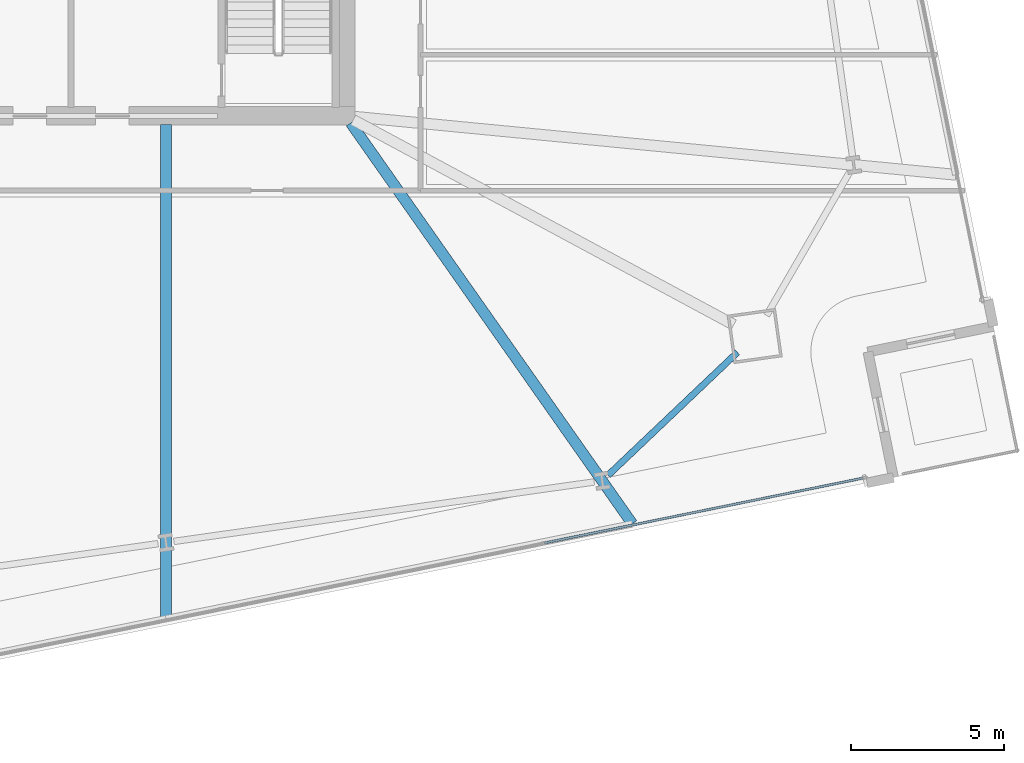
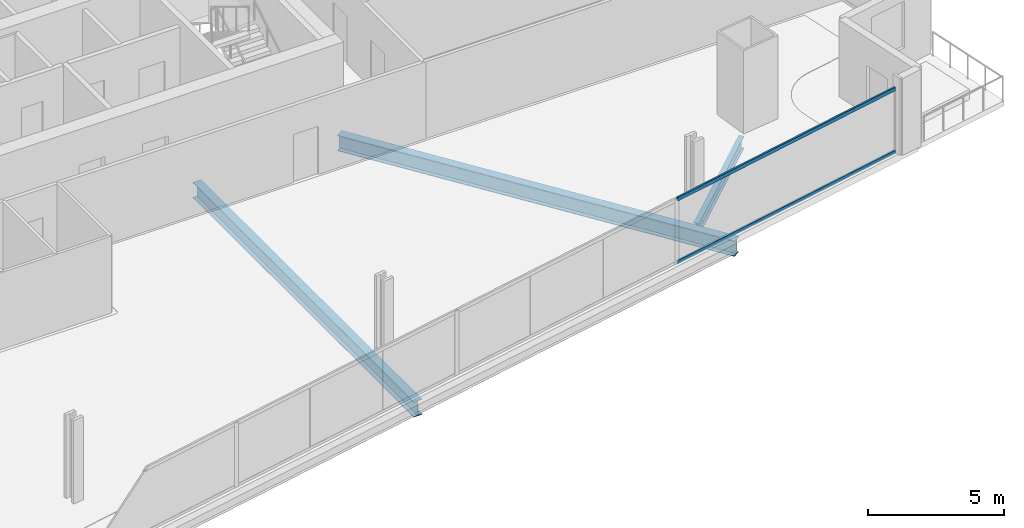
# One storey, part 9 of 33: 3 beams, 2 members, 1 element without a shape of its own.
"""IFC4 building model written with IfcOpenShell, lengths in metres."""

from ifc_helpers import new_model, si_unit, direction, frame, origin, origin_2d, place, context, subcontext, project, spatial, hollow_rectangle, i_section, extrude, material, material_profile, profile_set, type_object, element, aggregate, save


model = new_model("IFC4")

# Units and contexts
model_context = context("Model", 3, precision=1e-05, world=origin(), true_north=direction((0.0, 1.0)))
body_context = subcontext(model_context, "Body", "Model", "MODEL_VIEW")
ifc_project = project(units=[si_unit("LENGTHUNIT", "METRE"), si_unit("AREAUNIT", "SQUARE_METRE"), si_unit("VOLUMEUNIT", "CUBIC_METRE"), si_unit("PLANEANGLEUNIT", "RADIAN"), si_unit("MASSUNIT", "GRAM", prefix="KILO")], contexts=[model_context])

# Site, building, storey
site_placement = place(None, origin())
site = spatial("IfcSite", under=ifc_project, at=site_placement, CompositionType="ELEMENT")
building_placement = place(site_placement, origin())
building = spatial("IfcBuilding", under=site, at=building_placement, Name="Haldenkirk Collegiate Tower", CompositionType="ELEMENT")
storey_placement = place(building_placement, frame((0.0, 0.0, 66.449951171875)))
storey = spatial("IfcBuildingStorey", under=building, at=storey_placement, Name="L15", CompositionType="ELEMENT", Elevation=66.449951171875)

# Beams
ifc_material_1 = material(Name="Steel ASTM A992 Grade 50", Category="steel")
ifc_material_profile_1 = material_profile(ifc_material_1, i_section(OverallWidth=0.35498046875, OverallDepth=0.696044921875, WebThickness=0.015380859375, FlangeThickness=0.02490234375, at=origin_2d()), Name="W27X146")
ifc_profile_set_1 = profile_set([ifc_material_profile_1], Name="Steel ASTM A992 Grade 50")
beam_type_1 = type_object("IfcBeamType", Name="BM-GIRDER-W27X146", PredefinedType="BEAM", material=ifc_profile_set_1)
beam_1_placement = place(storey_placement, frame((39.10888671875, 1.5234375, -0.657958984375), z_axis=(0.0, 1.0, 0.0), x_axis=(-1.0, 0.0, 0.0)))
element("IfcBeam", 1, at=beam_1_placement, inside=storey, type_object=beam_type_1, Name="L15 primary floor girder 06", PredefinedType="BEAM", context=body_context, shape_type="SweptSolid", body=[
    extrude(i_section(OverallWidth=0.35498046875, OverallDepth=0.696044921875, WebThickness=0.015380859375, FlangeThickness=0.02490234375, at=origin_2d()), origin(), (0.0, 0.0, 1.0), 16.196533203125),
])
beam_2_placement = place(storey_placement, frame((54.3916015625, 4.6328125, -0.657958984375), z_axis=(-0.574881966686, 0.81823634995, 0.0), x_axis=(-0.81823634995, -0.574881966686, 0.0)))
element("IfcBeam", 2, at=beam_2_placement, inside=storey, type_object=beam_type_1, Name="L15 primary floor girder 07", PredefinedType="BEAM", context=body_context, shape_type="SweptSolid", body=[
    extrude(i_section(OverallWidth=0.35498046875, OverallDepth=0.696044921875, WebThickness=0.015380859375, FlangeThickness=0.02490234375, at=origin_2d()), origin(), (0.0, 0.0, 1.0), 16.056640625),
])
ifc_material_profile_2 = material_profile(ifc_material_1, i_section(OverallWidth=0.2119140625, OverallDepth=0.5439453125, WebThickness=0.01318359375, FlangeThickness=0.021240234375, at=origin_2d()), Name="W21X83")
ifc_profile_set_2 = profile_set([ifc_material_profile_2], Name="Steel ASTM A992 Grade 50")
beam_type_2 = type_object("IfcBeamType", Name="BM-SPANDREL-W21X83", PredefinedType="SPANDREL", material=ifc_profile_set_2)
beam_3_placement = place(storey_placement, frame((53.594482421875, 6.222412109375, -0.58203125), z_axis=(0.725113023209, 0.688629874151, 0.0), x_axis=(-0.688629874151, 0.725113023209, 0.0)))
element("IfcBeam", 3, at=beam_3_placement, inside=storey, type_object=beam_type_2, Name="L15 perimeter spandrel beam 04", PredefinedType="SPANDREL", context=body_context, shape_type="SweptSolid", body=[
    extrude(i_section(OverallWidth=0.2119140625, OverallDepth=0.5439453125, WebThickness=0.01318359375, FlangeThickness=0.021240234375, at=origin_2d()), origin(), (0.0, 0.0, 1.0), 5.8486328125),
])

# Curtain wall, members
ifc_material_2 = material(Name="Anodised architectural bronze aluminium", Category="aluminium")
curtain_wall_type = type_object("IfcCurtainWallType", Name="CW-SYS2-CONCAVE", PredefinedType="USERDEFINED", material=ifc_material_2)
curtain_wall_placement = place(storey_placement, origin())
curtain_wall = element("IfcCurtainWall", 4, at=curtain_wall_placement, inside=storey, type_object=curtain_wall_type, Name="L15 South concave recessed bronze-anodised curtain wall", ObjectType="UNITISED CURTAIN WALL", PredefinedType="USERDEFINED")
ifc_material_profile_3 = material_profile(ifc_material_2, hollow_rectangle(XDim=0.074951171875, YDim=0.159912109375, WallThickness=0.0048828125, at=origin_2d()), Name="CW-TRN-02")
ifc_profile_set_3 = profile_set([ifc_material_profile_3], Name="Anodised architectural bronze aluminium")
member_type = type_object("IfcMemberType", Name="CW-TRN-02", PredefinedType="USERDEFINED", material=ifc_profile_set_3)
member_1_placement = place(storey_placement, frame((61.957275390625, 6.13134765625, 0.03759765625), z_axis=(-0.979920893472, -0.199386665896, 0.0), x_axis=(0.199386665896, -0.979920893472, 0.0)))
member_1 = element("IfcMember", 5, at=member_1_placement, type_object=member_type, Name="CW-02 transom 1.1", ObjectType="TRANSOM", PredefinedType="USERDEFINED", context=body_context, shape_type="SweptSolid", body=[
    extrude(hollow_rectangle(XDim=0.074951171875, YDim=0.159912109375, WallThickness=0.0048828125, at=origin_2d()), origin(), (0.0, 0.0, 1.0), 10.66259765625),
])
member_2_placement = place(storey_placement, frame((61.957275390625, 6.13134765625, 2.853515625), z_axis=(-0.979920893472, -0.199386665896, 0.0), x_axis=(0.199386665896, -0.979920893472, 0.0)))
member_2 = element("IfcMember", 6, at=member_2_placement, type_object=member_type, Name="CW-02 transom 1.2", ObjectType="TRANSOM", PredefinedType="USERDEFINED", context=body_context, shape_type="SweptSolid", body=[
    extrude(hollow_rectangle(XDim=0.074951171875, YDim=0.159912109375, WallThickness=0.0048828125, at=origin_2d()), origin(), (0.0, 0.0, 1.0), 10.66259765625),
])
aggregate(curtain_wall, [member_1, member_2])

save(model, "model.ifc")
